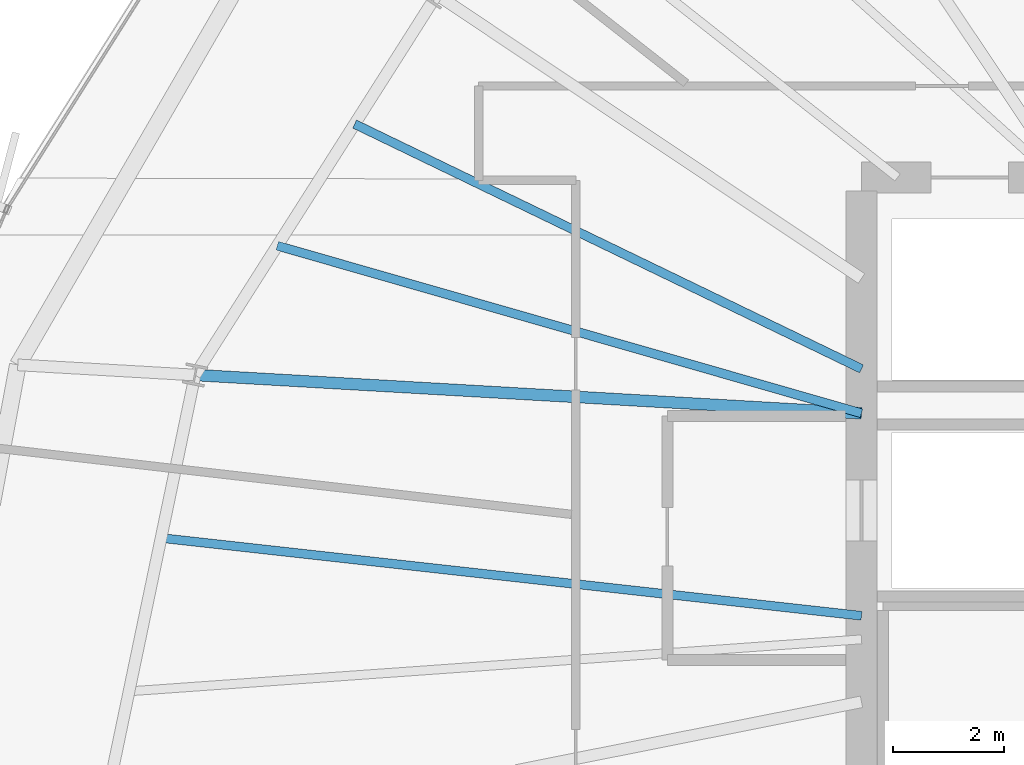
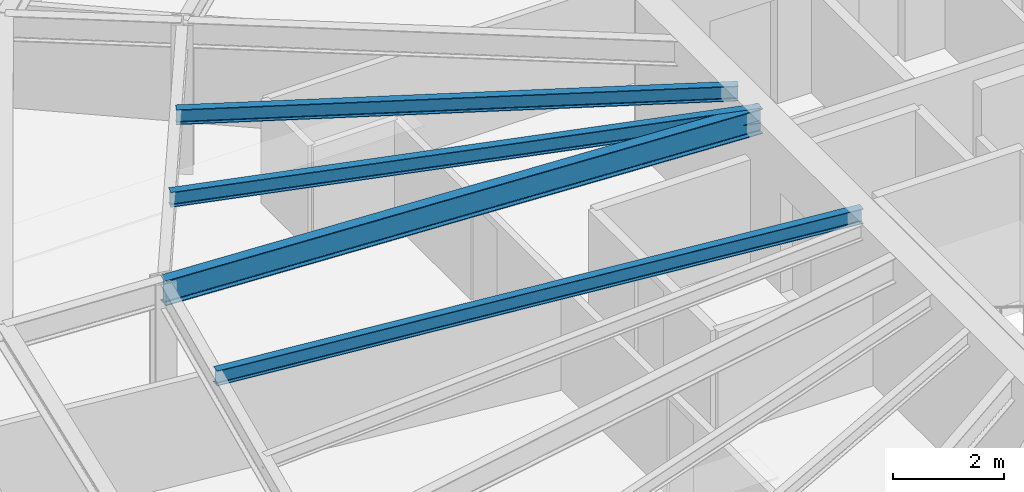
# One storey, part 11 of 35: 4 beams.
"""IFC4 building model written with IfcOpenShell, lengths in metres."""

from ifc_helpers import new_model, si_unit, direction, frame, origin, origin_2d, place, context, subcontext, project, spatial, i_section, extrude, source, transform, mapped, material, material_profile, profile_set, type_object, element, save


model = new_model("IFC4")

# Units and contexts
model_context = context("Model", 3, precision=1e-05, world=origin(), true_north=direction((0.0, 1.0)))
body_context = subcontext(model_context, "Body", "Model", "MODEL_VIEW")
ifc_project = project(units=[si_unit("LENGTHUNIT", "METRE"), si_unit("AREAUNIT", "SQUARE_METRE"), si_unit("VOLUMEUNIT", "CUBIC_METRE"), si_unit("PLANEANGLEUNIT", "RADIAN"), si_unit("MASSUNIT", "GRAM", prefix="KILO"), si_unit("THERMODYNAMICTEMPERATUREUNIT", "KELVIN")], contexts=[model_context])

# Site, building, storey
site_placement = place(None, origin())
site = spatial("IfcSite", under=ifc_project, at=site_placement, CompositionType="ELEMENT")
building_placement = place(site_placement, origin())
building = spatial("IfcBuilding", under=site, at=building_placement, Name="Kethvar Cultural Tower", CompositionType="ELEMENT")
storey_placement = place(building_placement, frame((0.0, 0.0, 146.550048828125)))
storey = spatial("IfcBuildingStorey", under=building, at=storey_placement, Name="L37", CompositionType="ELEMENT", Elevation=146.550048828125)

# Beams
ifc_material = material(Name="Steel S355J2", Category="steel")
ifc_material_profile_1 = material_profile(ifc_material, i_section(OverallWidth=0.2099609375, OverallDepth=0.550048828125, WebThickness=0.010986328125, FlangeThickness=0.01708984375, FilletRadius=0.02392578125, at=origin_2d()), Name="Steel S355J2 — IPE550")
ifc_profile_set_1 = profile_set([ifc_material_profile_1], Name="Steel S355J2 — IPE550")
beam_type_1 = type_object("IfcBeamType", Name="BM-IPE550", PredefinedType="BEAM", material=ifc_profile_set_1)
shared_shape_1 = source(origin(), body_context, "Body", "SweptSolid", [
    extrude(i_section(OverallWidth=0.2099609375, OverallDepth=0.550048828125, WebThickness=0.010986328125, FlangeThickness=0.01708984375, FilletRadius=0.02392578125, at=origin_2d()), origin(), (0.0, 0.0, 1.0), 12.03125),
])
beam_1_placement = place(storey_placement, frame((38.0, 31.25, 3.02294921875), z_axis=(-0.998355544741, 0.057325441856, 0.0), x_axis=(-0.057325441856, -0.998355544741, 0.0)))
element("IfcBeam", 1, at=beam_1_placement, inside=storey, type_object=beam_type_1, Name="L37 Primary Radial Beam RB-08", PredefinedType="BEAM", context=body_context, shape_type="MappedRepresentation", body=[
    mapped(shared_shape_1, transform((0.0, 0.0, 0.0), scale=1.0)),
])
ifc_material_profile_2 = material_profile(ifc_material, i_section(OverallWidth=0.159912109375, OverallDepth=0.330078125, WebThickness=0.007568359375, FlangeThickness=0.011474609375, FilletRadius=0.01806640625, at=origin_2d()), Name="Steel S355J2 — IPE330")
ifc_profile_set_2 = profile_set([ifc_material_profile_2], Name="Steel S355J2 — IPE330")
beam_type_2 = type_object("IfcBeamType", Name="BM-J330", PredefinedType="JOIST", material=ifc_profile_set_2)
shared_shape_2 = source(origin(), body_context, "Body", "SweptSolid", [
    extrude(i_section(OverallWidth=0.159912109375, OverallDepth=0.330078125, WebThickness=0.007568359375, FlangeThickness=0.011474609375, FilletRadius=0.01806640625, at=origin_2d()), origin(), (0.0, 0.0, 1.0), 10.1455078125),
])
beam_2_placement = place(storey_placement, frame((38.0, 32.05078125, 3.133056640625), z_axis=(-0.90045122575, 0.434956997927, 0.0), x_axis=(-0.434956997927, -0.90045122575, 0.0)))
element("IfcBeam", 2, at=beam_2_placement, inside=storey, type_object=beam_type_2, Name="L37 Composite Floor Joist J-07A", PredefinedType="JOIST", context=body_context, shape_type="MappedRepresentation", body=[
    mapped(shared_shape_2, transform((0.0, 0.0, 0.0), scale=1.0)),
])
shared_shape_3 = source(origin(), body_context, "Body", "SweptSolid", [
    extrude(i_section(OverallWidth=0.159912109375, OverallDepth=0.330078125, WebThickness=0.007568359375, FlangeThickness=0.011474609375, FilletRadius=0.01806640625, at=origin_2d()), origin(), (0.0, 0.0, 1.0), 10.95458984375),
])
beam_3_placement = place(storey_placement, frame((38.0, 31.25, 3.133056640625), z_axis=(-0.96124170623, 0.275707058676, 0.0), x_axis=(-0.275707058676, -0.96124170623, 0.0)))
element("IfcBeam", 3, at=beam_3_placement, inside=storey, type_object=beam_type_2, Name="L37 Composite Floor Joist J-07B", PredefinedType="JOIST", context=body_context, shape_type="MappedRepresentation", body=[
    mapped(shared_shape_3, transform((0.0, 0.0, 0.0), scale=1.0)),
])
shared_shape_4 = source(origin(), body_context, "Body", "SweptSolid", [
    extrude(i_section(OverallWidth=0.159912109375, OverallDepth=0.330078125, WebThickness=0.007568359375, FlangeThickness=0.011474609375, FilletRadius=0.01806640625, at=origin_2d()), origin(), (0.0, 0.0, 1.0), 12.7021484375),
])
beam_4_placement = place(storey_placement, frame((38.0, 27.60009765625, 3.133056640625), z_axis=(-0.993884906591, 0.110420978309, 0.0), x_axis=(-0.110420978309, -0.993884906591, 0.0)))
element("IfcBeam", 4, at=beam_4_placement, inside=storey, type_object=beam_type_2, Name="L37 Composite Floor Joist J-08A", PredefinedType="JOIST", context=body_context, shape_type="MappedRepresentation", body=[
    mapped(shared_shape_4, transform((0.0, 0.0, 0.0), scale=1.0)),
])

save(model, "model.ifc")
